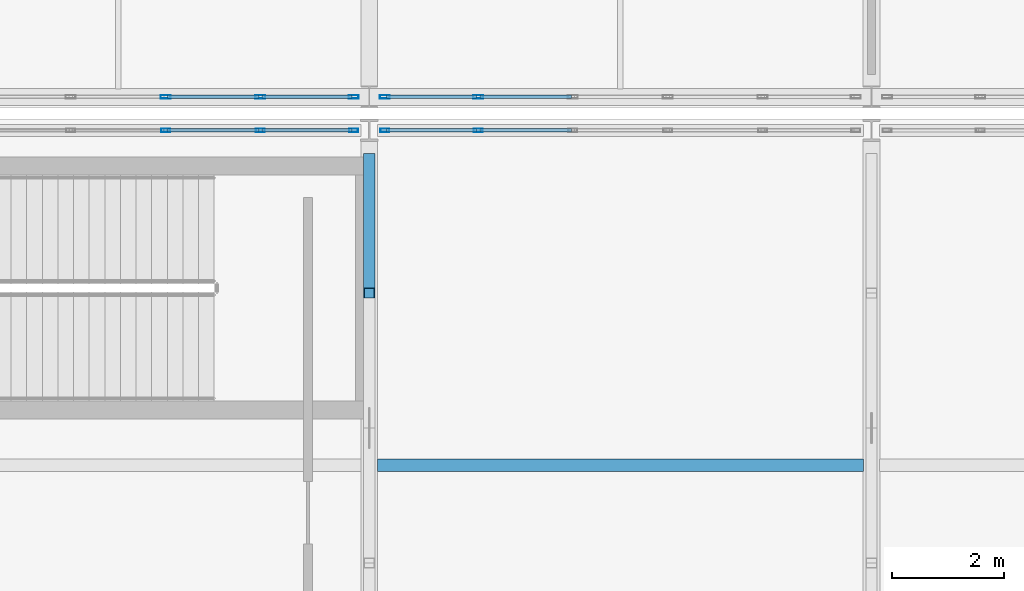
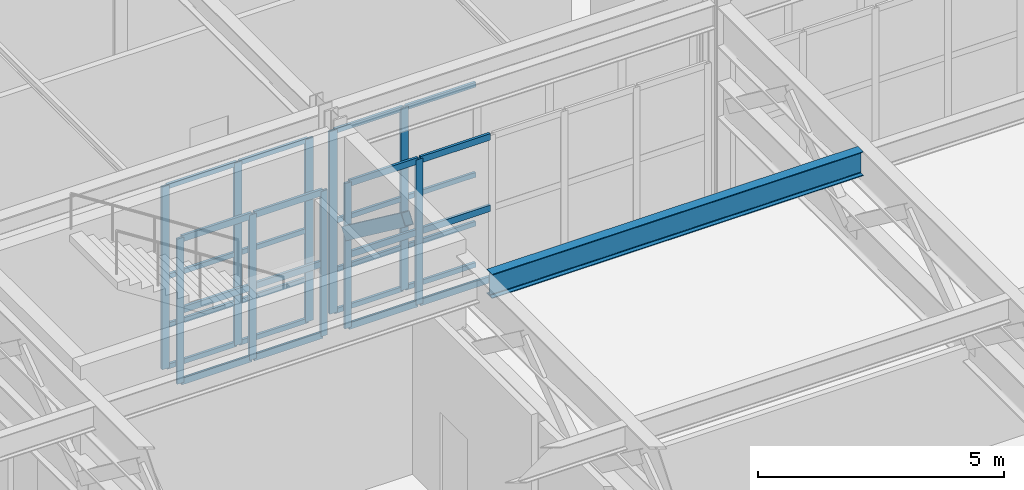
# One storey, part 42 of 210: 39 members, 1 beam, 4 elements without a shape of their own.
"""IFC4 building model written with IfcOpenShell, lengths in metres."""

from ifc_helpers import new_model, si_unit, direction, frame, origin, origin_2d, place, context, subcontext, project, spatial, hollow_rectangle, i_section, extrude, material, material_profile, profile_set, type_object, element, aggregate, save


model = new_model("IFC4")

# Units and contexts
model_context = context("Model", 3, precision=1e-05, world=origin(), true_north=direction((0.0, 1.0)))
body_context = subcontext(model_context, "Body", "Model", "MODEL_VIEW")
ifc_project = project(units=[si_unit("LENGTHUNIT", "METRE"), si_unit("AREAUNIT", "SQUARE_METRE"), si_unit("VOLUMEUNIT", "CUBIC_METRE"), si_unit("PLANEANGLEUNIT", "RADIAN"), si_unit("MASSUNIT", "GRAM", prefix="KILO")], contexts=[model_context])

# Site, building, storey
site_placement = place(None, origin())
site = spatial("IfcSite", under=ifc_project, at=site_placement, CompositionType="ELEMENT")
building_placement = place(site_placement, origin())
building = spatial("IfcBuilding", under=site, at=building_placement, Name="Kaldris Quays Convention Centre", CompositionType="ELEMENT")
storey_placement = place(building_placement, frame((0.0, 0.0, 6.0)))
storey = spatial("IfcBuildingStorey", under=building, at=storey_placement, Name="L01", CompositionType="ELEMENT", Elevation=6.0)

# Curtain wall, members
ifc_material_1 = material(Name="Anodized aluminium AW-6060 and triple glazing", Category="aluminium")
curtain_wall_type_1 = type_object("IfcCurtainWallType", Name="UNITISED CURTAIN WALL CW05", PredefinedType="NOTDEFINED", material=ifc_material_1)
curtain_wall_1_placement = place(storey_placement, origin())
curtain_wall_1 = element("IfcCurtainWall", 1, at=curtain_wall_1_placement, inside=storey, type_object=curtain_wall_type_1, Name="L01 Unitised Curtain Wall CW05 66", PredefinedType="NOTDEFINED")
ifc_material_2 = material(Name="Anodized aluminium AW-6060", Category="aluminium")
ifc_material_profile_1 = material_profile(ifc_material_2, hollow_rectangle(XDim=0.06005859375, YDim=0.159912109375, WallThickness=0.00390625, at=origin_2d()), Name="RHS 160x60x4")
ifc_profile_set_1 = profile_set([ifc_material_profile_1], Name="Anodized aluminium AW-6060")
member_type_1 = type_object("IfcMemberType", Name="CURTAIN MULLION CWM1", PredefinedType="MULLION", material=ifc_profile_set_1)
member_1_placement = place(storey_placement, frame((52.35009765625, 46.0, 0.0), z_axis=(0.0, 0.0, 1.0), x_axis=(0.0, 1.0, 0.0)))
member_1 = element("IfcMember", 2, at=member_1_placement, type_object=member_type_1, Name="CW05 mullion 4", PredefinedType="MULLION", context=body_context, shape_type="SweptSolid", body=[
    extrude(hollow_rectangle(XDim=0.06005859375, YDim=0.159912109375, WallThickness=0.00390625, at=origin_2d()), origin(), (0.0, 0.0, 1.0), 3.60009765625),
])
member_2_placement = place(storey_placement, frame((54.050048828125, 46.0, 0.0), z_axis=(0.0, 0.0, 1.0), x_axis=(0.0, 1.0, 0.0)))
member_2 = element("IfcMember", 3, at=member_2_placement, type_object=member_type_1, Name="CW05 mullion 5", PredefinedType="MULLION", context=body_context, shape_type="SweptSolid", body=[
    extrude(hollow_rectangle(XDim=0.06005859375, YDim=0.159912109375, WallThickness=0.00390625, at=origin_2d()), origin(), (0.0, 0.0, 1.0), 3.60009765625),
])
member_3_placement = place(storey_placement, frame((55.719970703125, 46.0, 0.0), z_axis=(0.0, 0.0, 1.0), x_axis=(0.0, 1.0, 0.0)))
member_3 = element("IfcMember", 4, at=member_3_placement, type_object=member_type_1, Name="CW05 mullion 6", PredefinedType="MULLION", context=body_context, shape_type="SweptSolid", body=[
    extrude(hollow_rectangle(XDim=0.06005859375, YDim=0.159912109375, WallThickness=0.00390625, at=origin_2d()), origin(), (0.0, 0.0, 1.0), 3.60009765625),
])

curtain_wall_2_placement = place(storey_placement, origin())
curtain_wall_2 = element("IfcCurtainWall", 5, at=curtain_wall_2_placement, inside=storey, type_object=curtain_wall_type_1, Name="L01 Unitised Curtain Wall CW05 68", PredefinedType="NOTDEFINED")
member_4_placement = place(storey_placement, frame((56.280029296875, 46.0, 0.0), z_axis=(0.0, 0.0, 1.0), x_axis=(0.0, 1.0, 0.0)))
member_4 = element("IfcMember", 6, at=member_4_placement, type_object=member_type_1, Name="CW05 mullion 1", PredefinedType="MULLION", context=body_context, shape_type="SweptSolid", body=[
    extrude(hollow_rectangle(XDim=0.06005859375, YDim=0.159912109375, WallThickness=0.00390625, at=origin_2d()), origin(), (0.0, 0.0, 1.0), 3.60009765625),
])
member_5_placement = place(storey_placement, frame((57.949951171875, 46.0, 0.0), z_axis=(0.0, 0.0, 1.0), x_axis=(0.0, 1.0, 0.0)))
member_5 = element("IfcMember", 7, at=member_5_placement, type_object=member_type_1, Name="CW05 mullion 2", PredefinedType="MULLION", context=body_context, shape_type="SweptSolid", body=[
    extrude(hollow_rectangle(XDim=0.06005859375, YDim=0.159912109375, WallThickness=0.00390625, at=origin_2d()), origin(), (0.0, 0.0, 1.0), 3.60009765625),
])

curtain_wall_type_2 = type_object("IfcCurtainWallType", Name="UNITISED CURTAIN WALL CW02", PredefinedType="NOTDEFINED", material=ifc_material_1)
curtain_wall_3_placement = place(storey_placement, origin())
curtain_wall_3 = element("IfcCurtainWall", 8, at=curtain_wall_3_placement, inside=storey, type_object=curtain_wall_type_2, Name="L01 Unitised Curtain Wall CW02 92", PredefinedType="NOTDEFINED")
ifc_material_profile_2 = material_profile(ifc_material_2, hollow_rectangle(XDim=0.06005859375, YDim=0.179931640625, WallThickness=0.0048828125, at=origin_2d()), Name="RHS 180x60x5")
ifc_profile_set_2 = profile_set([ifc_material_profile_2], Name="Anodized aluminium AW-6060")
member_type_2 = type_object("IfcMemberType", Name="CURTAIN MULLION CWM2", PredefinedType="MULLION", material=ifc_profile_set_2)
member_6_placement = place(storey_placement, frame((52.35009765625, 46.60009765625, 0.0), z_axis=(0.0, 0.0, 1.0), x_axis=(0.0, 1.0, 0.0)))
member_6 = element("IfcMember", 9, at=member_6_placement, type_object=member_type_2, Name="CW02 mullion 4", PredefinedType="MULLION", context=body_context, shape_type="SweptSolid", body=[
    extrude(hollow_rectangle(XDim=0.06005859375, YDim=0.179931640625, WallThickness=0.0048828125, at=origin_2d()), origin(), (0.0, 0.0, 1.0), 4.528076171875),
])
member_7_placement = place(storey_placement, frame((54.050048828125, 46.60009765625, 0.0), z_axis=(0.0, 0.0, 1.0), x_axis=(0.0, 1.0, 0.0)))
member_7 = element("IfcMember", 10, at=member_7_placement, type_object=member_type_2, Name="CW02 mullion 5", PredefinedType="MULLION", context=body_context, shape_type="SweptSolid", body=[
    extrude(hollow_rectangle(XDim=0.06005859375, YDim=0.179931640625, WallThickness=0.0048828125, at=origin_2d()), origin(), (0.0, 0.0, 1.0), 4.528076171875),
])
member_8_placement = place(storey_placement, frame((55.719970703125, 46.60009765625, 0.0), z_axis=(0.0, 0.0, 1.0), x_axis=(0.0, 1.0, 0.0)))
member_8 = element("IfcMember", 11, at=member_8_placement, type_object=member_type_2, Name="CW02 mullion 6", PredefinedType="MULLION", context=body_context, shape_type="SweptSolid", body=[
    extrude(hollow_rectangle(XDim=0.06005859375, YDim=0.179931640625, WallThickness=0.0048828125, at=origin_2d()), origin(), (0.0, 0.0, 1.0), 4.528076171875),
])

curtain_wall_4_placement = place(storey_placement, origin())
curtain_wall_4 = element("IfcCurtainWall", 12, at=curtain_wall_4_placement, inside=storey, type_object=curtain_wall_type_2, Name="L01 Unitised Curtain Wall CW02 93", PredefinedType="NOTDEFINED")
member_9_placement = place(storey_placement, frame((56.280029296875, 46.60009765625, 0.0), z_axis=(0.0, 0.0, 1.0), x_axis=(0.0, 1.0, 0.0)))
member_9 = element("IfcMember", 13, at=member_9_placement, type_object=member_type_2, Name="CW02 mullion 1", PredefinedType="MULLION", context=body_context, shape_type="SweptSolid", body=[
    extrude(hollow_rectangle(XDim=0.06005859375, YDim=0.179931640625, WallThickness=0.0048828125, at=origin_2d()), origin(), (0.0, 0.0, 1.0), 4.528076171875),
])
member_10_placement = place(storey_placement, frame((57.949951171875, 46.60009765625, 0.0), z_axis=(0.0, 0.0, 1.0), x_axis=(0.0, 1.0, 0.0)))
member_10 = element("IfcMember", 14, at=member_10_placement, type_object=member_type_2, Name="CW02 mullion 2", PredefinedType="MULLION", context=body_context, shape_type="SweptSolid", body=[
    extrude(hollow_rectangle(XDim=0.06005859375, YDim=0.179931640625, WallThickness=0.0048828125, at=origin_2d()), origin(), (0.0, 0.0, 1.0), 4.528076171875),
])

# Member
ifc_material_profile_3 = material_profile(ifc_material_2, hollow_rectangle(XDim=0.06005859375, YDim=0.1201171875, WallThickness=0.00390625, at=origin_2d()), Name="RHS 120x60x4")
ifc_profile_set_3 = profile_set([ifc_material_profile_3], Name="Anodized aluminium AW-6060")
member_type_3 = type_object("IfcMemberType", Name="CURTAIN TRANSOM CWT1", PredefinedType="USERDEFINED", material=ifc_profile_set_3)
member_11_placement = place(storey_placement, frame((52.3798828125, 46.60009765625, 0.030029296875), z_axis=(1.0, 0.0, 0.0), x_axis=(0.0, 1.0, 0.0)))
member_11 = element("IfcMember", 15, at=member_11_placement, type_object=member_type_3, Name="CW02 transom 4.1", ObjectType="TRANSOM", PredefinedType="USERDEFINED", context=body_context, shape_type="SweptSolid", body=[
    extrude(hollow_rectangle(XDim=0.06005859375, YDim=0.1201171875, WallThickness=0.00390625, at=origin_2d()), origin(), (0.0, 0.0, 1.0), 1.64013671875),
])

member_12_placement = place(storey_placement, frame((52.3798828125, 46.60009765625, 1.050048828125), z_axis=(1.0, 0.0, 0.0), x_axis=(0.0, 1.0, 0.0)))
member_12 = element("IfcMember", 16, at=member_12_placement, type_object=member_type_3, Name="CW02 transom 4.2", ObjectType="TRANSOM", PredefinedType="USERDEFINED", context=body_context, shape_type="SweptSolid", body=[
    extrude(hollow_rectangle(XDim=0.06005859375, YDim=0.1201171875, WallThickness=0.00390625, at=origin_2d()), origin(), (0.0, 0.0, 1.0), 1.64013671875),
])

member_13_placement = place(storey_placement, frame((52.3798828125, 46.60009765625, 2.263916015625), z_axis=(1.0, 0.0, 0.0), x_axis=(0.0, 1.0, 0.0)))
member_13 = element("IfcMember", 17, at=member_13_placement, type_object=member_type_3, Name="CW02 transom 4.3", ObjectType="TRANSOM", PredefinedType="USERDEFINED", context=body_context, shape_type="SweptSolid", body=[
    extrude(hollow_rectangle(XDim=0.06005859375, YDim=0.1201171875, WallThickness=0.00390625, at=origin_2d()), origin(), (0.0, 0.0, 1.0), 1.64013671875),
])

member_14_placement = place(storey_placement, frame((52.3798828125, 46.60009765625, 4.498046875), z_axis=(1.0, 0.0, 0.0), x_axis=(0.0, 1.0, 0.0)))
member_14 = element("IfcMember", 18, at=member_14_placement, type_object=member_type_3, Name="CW02 transom 4.4", ObjectType="TRANSOM", PredefinedType="USERDEFINED", context=body_context, shape_type="SweptSolid", body=[
    extrude(hollow_rectangle(XDim=0.06005859375, YDim=0.1201171875, WallThickness=0.00390625, at=origin_2d()), origin(), (0.0, 0.0, 1.0), 1.64013671875),
])

member_15_placement = place(storey_placement, frame((54.080078125, 46.60009765625, 0.030029296875), z_axis=(1.0, 0.0, 0.0), x_axis=(0.0, 1.0, 0.0)))
member_15 = element("IfcMember", 19, at=member_15_placement, type_object=member_type_3, Name="CW02 transom 5.1", ObjectType="TRANSOM", PredefinedType="USERDEFINED", context=body_context, shape_type="SweptSolid", body=[
    extrude(hollow_rectangle(XDim=0.06005859375, YDim=0.1201171875, WallThickness=0.00390625, at=origin_2d()), origin(), (0.0, 0.0, 1.0), 1.60986328125),
])

member_16_placement = place(storey_placement, frame((54.080078125, 46.60009765625, 1.050048828125), z_axis=(1.0, 0.0, 0.0), x_axis=(0.0, 1.0, 0.0)))
member_16 = element("IfcMember", 20, at=member_16_placement, type_object=member_type_3, Name="CW02 transom 5.2", ObjectType="TRANSOM", PredefinedType="USERDEFINED", context=body_context, shape_type="SweptSolid", body=[
    extrude(hollow_rectangle(XDim=0.06005859375, YDim=0.1201171875, WallThickness=0.00390625, at=origin_2d()), origin(), (0.0, 0.0, 1.0), 1.60986328125),
])

member_17_placement = place(storey_placement, frame((54.080078125, 46.60009765625, 2.263916015625), z_axis=(1.0, 0.0, 0.0), x_axis=(0.0, 1.0, 0.0)))
member_17 = element("IfcMember", 21, at=member_17_placement, type_object=member_type_3, Name="CW02 transom 5.3", ObjectType="TRANSOM", PredefinedType="USERDEFINED", context=body_context, shape_type="SweptSolid", body=[
    extrude(hollow_rectangle(XDim=0.06005859375, YDim=0.1201171875, WallThickness=0.00390625, at=origin_2d()), origin(), (0.0, 0.0, 1.0), 1.60986328125),
])

member_18_placement = place(storey_placement, frame((54.080078125, 46.60009765625, 4.498046875), z_axis=(1.0, 0.0, 0.0), x_axis=(0.0, 1.0, 0.0)))
member_18 = element("IfcMember", 22, at=member_18_placement, type_object=member_type_3, Name="CW02 transom 5.4", ObjectType="TRANSOM", PredefinedType="USERDEFINED", context=body_context, shape_type="SweptSolid", body=[
    extrude(hollow_rectangle(XDim=0.06005859375, YDim=0.1201171875, WallThickness=0.00390625, at=origin_2d()), origin(), (0.0, 0.0, 1.0), 1.60986328125),
])

aggregate(curtain_wall_3, [member_6, member_7, member_8, member_11, member_12, member_13, member_14, member_15, member_16, member_17, member_18])

member_19_placement = place(storey_placement, frame((56.31005859375, 46.60009765625, 0.030029296875), z_axis=(1.0, 0.0, 0.0), x_axis=(0.0, 1.0, 0.0)))
member_19 = element("IfcMember", 23, at=member_19_placement, type_object=member_type_3, Name="CW02 transom 1.1", ObjectType="TRANSOM", PredefinedType="USERDEFINED", context=body_context, shape_type="SweptSolid", body=[
    extrude(hollow_rectangle(XDim=0.06005859375, YDim=0.1201171875, WallThickness=0.00390625, at=origin_2d()), origin(), (0.0, 0.0, 1.0), 1.60986328125),
])

member_20_placement = place(storey_placement, frame((56.31005859375, 46.60009765625, 1.050048828125), z_axis=(1.0, 0.0, 0.0), x_axis=(0.0, 1.0, 0.0)))
member_20 = element("IfcMember", 24, at=member_20_placement, type_object=member_type_3, Name="CW02 transom 1.2", ObjectType="TRANSOM", PredefinedType="USERDEFINED", context=body_context, shape_type="SweptSolid", body=[
    extrude(hollow_rectangle(XDim=0.06005859375, YDim=0.1201171875, WallThickness=0.00390625, at=origin_2d()), origin(), (0.0, 0.0, 1.0), 1.60986328125),
])

member_21_placement = place(storey_placement, frame((56.31005859375, 46.60009765625, 2.263916015625), z_axis=(1.0, 0.0, 0.0), x_axis=(0.0, 1.0, 0.0)))
member_21 = element("IfcMember", 25, at=member_21_placement, type_object=member_type_3, Name="CW02 transom 1.3", ObjectType="TRANSOM", PredefinedType="USERDEFINED", context=body_context, shape_type="SweptSolid", body=[
    extrude(hollow_rectangle(XDim=0.06005859375, YDim=0.1201171875, WallThickness=0.00390625, at=origin_2d()), origin(), (0.0, 0.0, 1.0), 1.60986328125),
])

member_22_placement = place(storey_placement, frame((56.31005859375, 46.60009765625, 4.498046875), z_axis=(1.0, 0.0, 0.0), x_axis=(0.0, 1.0, 0.0)))
member_22 = element("IfcMember", 26, at=member_22_placement, type_object=member_type_3, Name="CW02 transom 1.4", ObjectType="TRANSOM", PredefinedType="USERDEFINED", context=body_context, shape_type="SweptSolid", body=[
    extrude(hollow_rectangle(XDim=0.06005859375, YDim=0.1201171875, WallThickness=0.00390625, at=origin_2d()), origin(), (0.0, 0.0, 1.0), 1.60986328125),
])

member_23_placement = place(storey_placement, frame((57.97998046875, 46.60009765625, 0.030029296875), z_axis=(1.0, 0.0, 0.0), x_axis=(0.0, 1.0, 0.0)))
member_23 = element("IfcMember", 27, at=member_23_placement, type_object=member_type_3, Name="CW02 transom 2.1", ObjectType="TRANSOM", PredefinedType="USERDEFINED", context=body_context, shape_type="SweptSolid", body=[
    extrude(hollow_rectangle(XDim=0.06005859375, YDim=0.1201171875, WallThickness=0.00390625, at=origin_2d()), origin(), (0.0, 0.0, 1.0), 1.64013671875),
])

member_24_placement = place(storey_placement, frame((57.97998046875, 46.60009765625, 1.050048828125), z_axis=(1.0, 0.0, 0.0), x_axis=(0.0, 1.0, 0.0)))
member_24 = element("IfcMember", 28, at=member_24_placement, type_object=member_type_3, Name="CW02 transom 2.2", ObjectType="TRANSOM", PredefinedType="USERDEFINED", context=body_context, shape_type="SweptSolid", body=[
    extrude(hollow_rectangle(XDim=0.06005859375, YDim=0.1201171875, WallThickness=0.00390625, at=origin_2d()), origin(), (0.0, 0.0, 1.0), 1.64013671875),
])

member_25_placement = place(storey_placement, frame((57.97998046875, 46.60009765625, 2.263916015625), z_axis=(1.0, 0.0, 0.0), x_axis=(0.0, 1.0, 0.0)))
member_25 = element("IfcMember", 29, at=member_25_placement, type_object=member_type_3, Name="CW02 transom 2.3", ObjectType="TRANSOM", PredefinedType="USERDEFINED", context=body_context, shape_type="SweptSolid", body=[
    extrude(hollow_rectangle(XDim=0.06005859375, YDim=0.1201171875, WallThickness=0.00390625, at=origin_2d()), origin(), (0.0, 0.0, 1.0), 1.64013671875),
])

member_26_placement = place(storey_placement, frame((57.97998046875, 46.60009765625, 4.498046875), z_axis=(1.0, 0.0, 0.0), x_axis=(0.0, 1.0, 0.0)))
member_26 = element("IfcMember", 30, at=member_26_placement, type_object=member_type_3, Name="CW02 transom 2.4", ObjectType="TRANSOM", PredefinedType="USERDEFINED", context=body_context, shape_type="SweptSolid", body=[
    extrude(hollow_rectangle(XDim=0.06005859375, YDim=0.1201171875, WallThickness=0.00390625, at=origin_2d()), origin(), (0.0, 0.0, 1.0), 1.64013671875),
])

aggregate(curtain_wall_4, [member_9, member_10, member_19, member_20, member_21, member_22, member_23, member_24, member_25, member_26])

ifc_material_profile_4 = material_profile(ifc_material_2, hollow_rectangle(XDim=0.06005859375, YDim=0.159912109375, WallThickness=0.00390625, at=origin_2d()), Name="RHS 160x60x4")
ifc_profile_set_4 = profile_set([ifc_material_profile_4], Name="Anodized aluminium AW-6060")
member_type_4 = type_object("IfcMemberType", Name="CURTAIN TRANSOM CWT2", PredefinedType="USERDEFINED", material=ifc_profile_set_4)
member_27_placement = place(storey_placement, frame((52.3798828125, 46.0, 0.030029296875), z_axis=(1.0, 0.0, 0.0), x_axis=(0.0, 1.0, 0.0)))
member_27 = element("IfcMember", 31, at=member_27_placement, type_object=member_type_4, Name="CW05 transom 4.1", ObjectType="TRANSOM", PredefinedType="USERDEFINED", context=body_context, shape_type="SweptSolid", body=[
    extrude(hollow_rectangle(XDim=0.06005859375, YDim=0.159912109375, WallThickness=0.00390625, at=origin_2d()), origin(), (0.0, 0.0, 1.0), 1.64013671875),
])

member_28_placement = place(storey_placement, frame((52.3798828125, 46.0, 1.800048828125), z_axis=(1.0, 0.0, 0.0), x_axis=(0.0, 1.0, 0.0)))
member_28 = element("IfcMember", 32, at=member_28_placement, type_object=member_type_4, Name="CW05 transom 4.2", ObjectType="TRANSOM", PredefinedType="USERDEFINED", context=body_context, shape_type="SweptSolid", body=[
    extrude(hollow_rectangle(XDim=0.06005859375, YDim=0.159912109375, WallThickness=0.00390625, at=origin_2d()), origin(), (0.0, 0.0, 1.0), 1.64013671875),
])

member_29_placement = place(storey_placement, frame((52.3798828125, 46.0, 3.570068359375), z_axis=(1.0, 0.0, 0.0), x_axis=(0.0, 1.0, 0.0)))
member_29 = element("IfcMember", 33, at=member_29_placement, type_object=member_type_4, Name="CW05 transom 4.3", ObjectType="TRANSOM", PredefinedType="USERDEFINED", context=body_context, shape_type="SweptSolid", body=[
    extrude(hollow_rectangle(XDim=0.06005859375, YDim=0.159912109375, WallThickness=0.00390625, at=origin_2d()), origin(), (0.0, 0.0, 1.0), 1.64013671875),
])

member_30_placement = place(storey_placement, frame((54.080078125, 46.0, 0.030029296875), z_axis=(1.0, 0.0, 0.0), x_axis=(0.0, 1.0, 0.0)))
member_30 = element("IfcMember", 34, at=member_30_placement, type_object=member_type_4, Name="CW05 transom 5.1", ObjectType="TRANSOM", PredefinedType="USERDEFINED", context=body_context, shape_type="SweptSolid", body=[
    extrude(hollow_rectangle(XDim=0.06005859375, YDim=0.159912109375, WallThickness=0.00390625, at=origin_2d()), origin(), (0.0, 0.0, 1.0), 1.60986328125),
])

member_31_placement = place(storey_placement, frame((54.080078125, 46.0, 1.800048828125), z_axis=(1.0, 0.0, 0.0), x_axis=(0.0, 1.0, 0.0)))
member_31 = element("IfcMember", 35, at=member_31_placement, type_object=member_type_4, Name="CW05 transom 5.2", ObjectType="TRANSOM", PredefinedType="USERDEFINED", context=body_context, shape_type="SweptSolid", body=[
    extrude(hollow_rectangle(XDim=0.06005859375, YDim=0.159912109375, WallThickness=0.00390625, at=origin_2d()), origin(), (0.0, 0.0, 1.0), 1.60986328125),
])

member_32_placement = place(storey_placement, frame((54.080078125, 46.0, 3.570068359375), z_axis=(1.0, 0.0, 0.0), x_axis=(0.0, 1.0, 0.0)))
member_32 = element("IfcMember", 36, at=member_32_placement, type_object=member_type_4, Name="CW05 transom 5.3", ObjectType="TRANSOM", PredefinedType="USERDEFINED", context=body_context, shape_type="SweptSolid", body=[
    extrude(hollow_rectangle(XDim=0.06005859375, YDim=0.159912109375, WallThickness=0.00390625, at=origin_2d()), origin(), (0.0, 0.0, 1.0), 1.60986328125),
])

aggregate(curtain_wall_1, [member_1, member_2, member_3, member_27, member_28, member_29, member_30, member_31, member_32])

member_33_placement = place(storey_placement, frame((56.31005859375, 46.0, 0.030029296875), z_axis=(1.0, 0.0, 0.0), x_axis=(0.0, 1.0, 0.0)))
member_33 = element("IfcMember", 37, at=member_33_placement, type_object=member_type_4, Name="CW05 transom 1.1", ObjectType="TRANSOM", PredefinedType="USERDEFINED", context=body_context, shape_type="SweptSolid", body=[
    extrude(hollow_rectangle(XDim=0.06005859375, YDim=0.159912109375, WallThickness=0.00390625, at=origin_2d()), origin(), (0.0, 0.0, 1.0), 1.60986328125),
])

member_34_placement = place(storey_placement, frame((56.31005859375, 46.0, 1.800048828125), z_axis=(1.0, 0.0, 0.0), x_axis=(0.0, 1.0, 0.0)))
member_34 = element("IfcMember", 38, at=member_34_placement, type_object=member_type_4, Name="CW05 transom 1.2", ObjectType="TRANSOM", PredefinedType="USERDEFINED", context=body_context, shape_type="SweptSolid", body=[
    extrude(hollow_rectangle(XDim=0.06005859375, YDim=0.159912109375, WallThickness=0.00390625, at=origin_2d()), origin(), (0.0, 0.0, 1.0), 1.60986328125),
])

member_35_placement = place(storey_placement, frame((56.31005859375, 46.0, 3.570068359375), z_axis=(1.0, 0.0, 0.0), x_axis=(0.0, 1.0, 0.0)))
member_35 = element("IfcMember", 39, at=member_35_placement, type_object=member_type_4, Name="CW05 transom 1.3", ObjectType="TRANSOM", PredefinedType="USERDEFINED", context=body_context, shape_type="SweptSolid", body=[
    extrude(hollow_rectangle(XDim=0.06005859375, YDim=0.159912109375, WallThickness=0.00390625, at=origin_2d()), origin(), (0.0, 0.0, 1.0), 1.60986328125),
])

member_36_placement = place(storey_placement, frame((57.97998046875, 46.0, 0.030029296875), z_axis=(1.0, 0.0, 0.0), x_axis=(0.0, 1.0, 0.0)))
member_36 = element("IfcMember", 40, at=member_36_placement, type_object=member_type_4, Name="CW05 transom 2.1", ObjectType="TRANSOM", PredefinedType="USERDEFINED", context=body_context, shape_type="SweptSolid", body=[
    extrude(hollow_rectangle(XDim=0.06005859375, YDim=0.159912109375, WallThickness=0.00390625, at=origin_2d()), origin(), (0.0, 0.0, 1.0), 1.64013671875),
])

member_37_placement = place(storey_placement, frame((57.97998046875, 46.0, 1.800048828125), z_axis=(1.0, 0.0, 0.0), x_axis=(0.0, 1.0, 0.0)))
member_37 = element("IfcMember", 41, at=member_37_placement, type_object=member_type_4, Name="CW05 transom 2.2", ObjectType="TRANSOM", PredefinedType="USERDEFINED", context=body_context, shape_type="SweptSolid", body=[
    extrude(hollow_rectangle(XDim=0.06005859375, YDim=0.159912109375, WallThickness=0.00390625, at=origin_2d()), origin(), (0.0, 0.0, 1.0), 1.64013671875),
])

member_38_placement = place(storey_placement, frame((57.97998046875, 46.0, 3.570068359375), z_axis=(1.0, 0.0, 0.0), x_axis=(0.0, 1.0, 0.0)))
member_38 = element("IfcMember", 42, at=member_38_placement, type_object=member_type_4, Name="CW05 transom 2.3", ObjectType="TRANSOM", PredefinedType="USERDEFINED", context=body_context, shape_type="SweptSolid", body=[
    extrude(hollow_rectangle(XDim=0.06005859375, YDim=0.159912109375, WallThickness=0.00390625, at=origin_2d()), origin(), (0.0, 0.0, 1.0), 1.64013671875),
])

aggregate(curtain_wall_2, [member_4, member_5, member_33, member_34, member_35, member_36, member_37, member_38])

# Beam
ifc_material_3 = material(Name="Steel S355J2", Category="steel")
ifc_material_profile_5 = material_profile(ifc_material_3, i_section(OverallWidth=0.219970703125, OverallDepth=0.60009765625, WebThickness=0.011962890625, FlangeThickness=0.01904296875, FilletRadius=0.02392578125, at=origin_2d()), Name="IPE 600")
ifc_profile_set_5 = profile_set([ifc_material_profile_5], Name="Steel S355J2")
beam_type = type_object("IfcBeamType", Name="STRUCTURAL BEAM BM10", PredefinedType="BEAM", material=ifc_profile_set_5)
beam_placement = place(storey_placement, frame((56.14501953125, 40.0, 4.758056640625), z_axis=(1.0, 0.0, 0.0), x_axis=(0.0, 1.0, 0.0)))
element("IfcBeam", 43, at=beam_placement, inside=storey, type_object=beam_type, Name="L01 Ballroom Tie Beam BM10", PredefinedType="BEAM", context=body_context, shape_type="SweptSolid", body=[
    extrude(i_section(OverallWidth=0.219970703125, OverallDepth=0.60009765625, WebThickness=0.011962890625, FlangeThickness=0.01904296875, FilletRadius=0.02392578125, at=origin_2d()), origin(), (0.0, 0.0, 1.0), 8.7099609375),
])

# Member
ifc_material_4 = material(Name="Steel S355J2H", Category="steel")
ifc_material_profile_6 = material_profile(ifc_material_4, hollow_rectangle(XDim=0.199951171875, YDim=0.300048828125, WallThickness=0.012451171875, at=origin_2d()), Name="RHS 300x200x12.5")
ifc_profile_set_6 = profile_set([ifc_material_profile_6], Name="Steel S355J2H")
member_type_5 = type_object("IfcMemberType", Name="STRUCTURAL MEMBER TTD1", PredefinedType="BRACE", material=ifc_profile_set_6)
member_39_placement = place(storey_placement, frame((56.0, 45.5, 2.75), z_axis=(0.0, -0.800708018983, 0.599054812464), x_axis=(1.0, 0.0, 0.0)))
element("IfcMember", 44, at=member_39_placement, inside=storey, type_object=member_type_5, Name="Transfer Truss TT05 Diagonal 12", PredefinedType="BRACE", context=body_context, shape_type="SweptSolid", body=[
    extrude(hollow_rectangle(XDim=0.199951171875, YDim=0.300048828125, WallThickness=0.012451171875, at=origin_2d()), origin(), (0.0, 0.0, 1.0), 3.018310546875),
])

save(model, "model.ifc")
